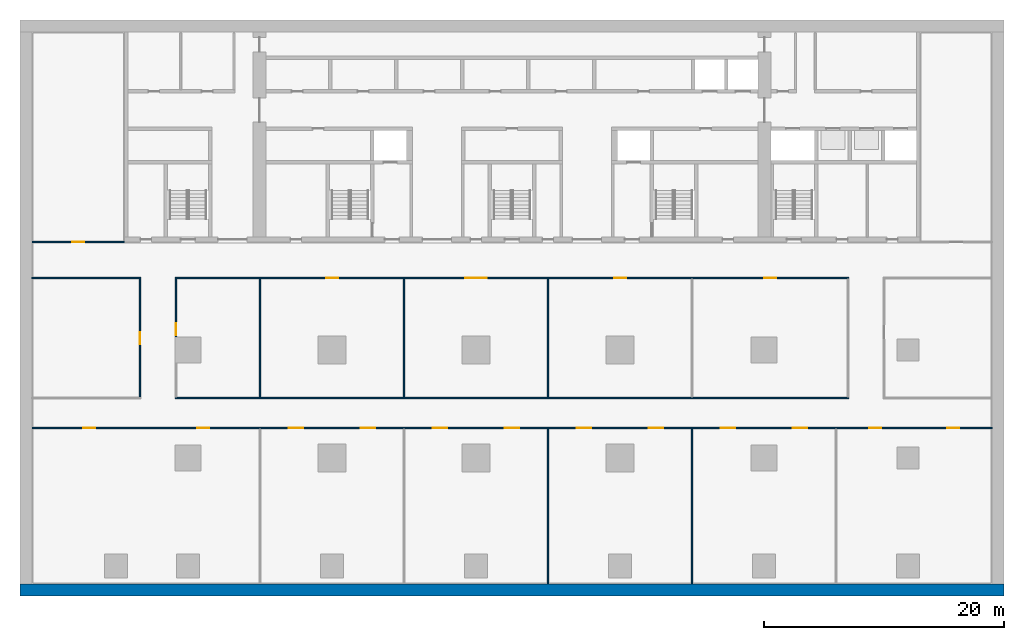
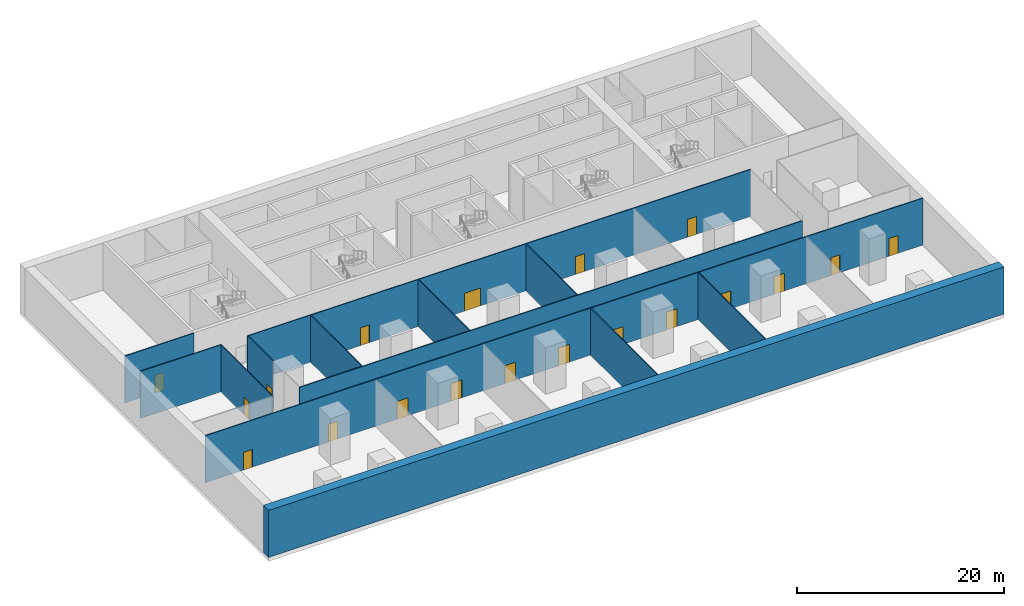
# One storey, part 2 of 10: 19 doors, 13 walls, 19 openings.
"""IFC4 building model written with IfcOpenShell, lengths in metres."""

from ifc_helpers import new_model, si_unit, direction, frame, frame_2d, origin, place, context, subcontext, project, spatial, rectangle, extrude, material, layer, layer_set, type_object, element, fill, save


model = new_model("IFC4")

# Units and contexts
model_context = context("Model", 3, precision=1e-05, world=origin(), true_north=direction((0.0, 1.0)))
body_context = subcontext(model_context, "Body", "Model", "MODEL_VIEW")
ifc_project = project(units=[si_unit("LENGTHUNIT", "METRE"), si_unit("AREAUNIT", "SQUARE_METRE"), si_unit("VOLUMEUNIT", "CUBIC_METRE"), si_unit("PLANEANGLEUNIT", "RADIAN"), si_unit("MASSUNIT", "GRAM", prefix="KILO")], contexts=[model_context])

# Site, building, storey
site_placement = place(None, origin())
site = spatial("IfcSite", under=ifc_project, at=site_placement, CompositionType="ELEMENT")
building_placement = place(site_placement, origin())
building = spatial("IfcBuilding", under=site, at=building_placement, Name="Calvaro Tower", CompositionType="ELEMENT")
storey_placement = place(building_placement, frame((0.0, 0.0, -6.0)))
storey = spatial("IfcBuildingStorey", under=building, at=storey_placement, Name="B1", CompositionType="ELEMENT", Elevation=-6.0)

# Walls
ifc_material_1 = material(Name="Plasterboard on steel studs", Category="steel")
ifc_layer_1 = layer(ifc_material_1, 0.10009765625)
ifc_layer_set_1 = layer_set([ifc_layer_1], Name="Plasterboard on steel studs")
wall_type_1 = type_object("IfcWallType", Name="Partition 100", PredefinedType="PARTITIONING", material=ifc_layer_set_1)
wall_1_placement = place(storey_placement, frame((10.949951171875, 15.0, 0.0), z_axis=(0.0, 0.0, 1.0), x_axis=(1.0, 0.0, 0.0)))
element("IfcWall", 1, at=wall_1_placement, inside=storey, type_object=wall_type_1, Name="Partition T02.W003", PredefinedType="PARTITIONING", context=body_context, shape_type="SweptSolid", body=[
    extrude(rectangle(XDim=56.10009765625, YDim=0.10009765625, at=frame_2d((28.050048828125, 0.0))), origin(), (0.0, 0.0, 1.0), 5.550048828125),
])
for number, where, z_axis, x_axis, name in (
    (2, (42.0, -0.5, 0.0), (0.0, 0.0, 1.0), (0.0, 1.0, 0.0), "Partition T02.W017"),
    (3, (54.0, -0.5, 0.0), (0.0, 0.0, 1.0), (0.0, 1.0, 0.0), "Partition T02.W019"),
):
    element("IfcWall", number, at=place(storey_placement, frame(where, z_axis=z_axis, x_axis=x_axis)), inside=storey, type_object=wall_type_1, Name=name, PredefinedType="PARTITIONING", context=body_context, shape_type="SweptSolid", body=[
        extrude(rectangle(XDim=12.949951171875, YDim=0.10009765625, at=frame_2d((6.47509765625, 0.0))), origin(), (0.0, 0.0, 1.0), 5.550048828125),
    ])

# Wall, openings, doors
ifc_material_2 = material(Name="Plasterboard on steel studs", Category="steel")
ifc_layer_2 = layer(ifc_material_2, 0.10009765625)
ifc_layer_set_2 = layer_set([ifc_layer_2], Name="Plasterboard on steel studs")
wall_type_2 = type_object("IfcWallType", Name="Partition 100 EI 60", PredefinedType="PARTITIONING", material=ifc_layer_set_2)
wall_2_placement = place(storey_placement, frame((-1.0, 12.5, 0.0), z_axis=(0.0, 0.0, 1.0), x_axis=(1.0, 0.0, 0.0)))
wall_2 = element("IfcWall", 4, at=wall_2_placement, inside=storey, type_object=wall_type_2, Name="Partition T02.W001", PredefinedType="PARTITIONING", context=body_context, shape_type="SweptSolid", body=[
    extrude(rectangle(XDim=80.0, YDim=0.10009765625, at=frame_2d((40.0, 0.0))), origin(), (0.0, 0.0, 1.0), 5.550048828125),
])
opening_1_placement = place(wall_2_placement, frame((4.25, 0.0, 0.0)))
opening_1 = element("IfcOpeningElement", 5, at=opening_1_placement, cuts=wall_2, Name="Opening T02.001", PredefinedType="OPENING", context=body_context, shape_type="SweptSolid", body=[
    extrude(rectangle(XDim=1.0, YDim=2.10009765625, at=frame_2d((0.5, 1.050048828125))), frame((0.0, 0.06005859375, 0.0), z_axis=(0.0, -1.0, 0.0), x_axis=(1.0, 0.0, 0.0)), (0.0, 0.0, 1.0), 0.1201171875),
])
opening_2_placement = place(wall_2_placement, frame((13.75, 0.0, 0.0)))
opening_2 = element("IfcOpeningElement", 6, at=opening_2_placement, cuts=wall_2, Name="Opening T02.002", PredefinedType="OPENING", context=body_context, shape_type="SweptSolid", body=[
    extrude(rectangle(XDim=1.0, YDim=2.10009765625, at=frame_2d((0.5, 1.050048828125))), frame((0.0, 0.06005859375, 0.0), z_axis=(0.0, -1.0, 0.0), x_axis=(1.0, 0.0, 0.0)), (0.0, 0.0, 1.0), 0.1201171875),
])
opening_3_placement = place(wall_2_placement, frame((21.39990234375, 0.0, 0.0)))
opening_3 = element("IfcOpeningElement", 7, at=opening_3_placement, cuts=wall_2, Name="Opening T02.003", PredefinedType="OPENING", context=body_context, shape_type="SweptSolid", body=[
    extrude(rectangle(XDim=1.199951171875, YDim=2.10009765625, at=frame_2d((0.60009765625, 1.050048828125))), frame((0.0, 0.06005859375, 0.0), z_axis=(0.0, -1.0, 0.0), x_axis=(1.0, 0.0, 0.0)), (0.0, 0.0, 1.0), 0.1201171875),
])
opening_4_placement = place(wall_2_placement, frame((27.39990234375, 0.0, 0.0)))
opening_4 = element("IfcOpeningElement", 8, at=opening_4_placement, cuts=wall_2, Name="Opening T02.004", PredefinedType="OPENING", context=body_context, shape_type="SweptSolid", body=[
    extrude(rectangle(XDim=1.199951171875, YDim=2.10009765625, at=frame_2d((0.60009765625, 1.050048828125))), frame((0.0, 0.06005859375, 0.0), z_axis=(0.0, -1.0, 0.0), x_axis=(1.0, 0.0, 0.0)), (0.0, 0.0, 1.0), 0.1201171875),
])
opening_5_placement = place(wall_2_placement, frame((33.39990234375, 0.0, 0.0)))
opening_5 = element("IfcOpeningElement", 9, at=opening_5_placement, cuts=wall_2, Name="Opening T02.005", PredefinedType="OPENING", context=body_context, shape_type="SweptSolid", body=[
    extrude(rectangle(XDim=1.199951171875, YDim=2.10009765625, at=frame_2d((0.60009765625, 1.050048828125))), frame((0.0, 0.06005859375, 0.0), z_axis=(0.0, -1.0, 0.0), x_axis=(1.0, 0.0, 0.0)), (0.0, 0.0, 1.0), 0.1201171875),
])
opening_6_placement = place(wall_2_placement, frame((39.39990234375, 0.0, 0.0)))
opening_6 = element("IfcOpeningElement", 10, at=opening_6_placement, cuts=wall_2, Name="Opening T02.006", PredefinedType="OPENING", context=body_context, shape_type="SweptSolid", body=[
    extrude(rectangle(XDim=1.199951171875, YDim=2.10009765625, at=frame_2d((0.60009765625, 1.050048828125))), frame((0.0, 0.06005859375, 0.0), z_axis=(0.0, -1.0, 0.0), x_axis=(1.0, 0.0, 0.0)), (0.0, 0.0, 1.0), 0.1201171875),
])
opening_7_placement = place(wall_2_placement, frame((45.39990234375, 0.0, 0.0)))
opening_7 = element("IfcOpeningElement", 11, at=opening_7_placement, cuts=wall_2, Name="Opening T02.007", PredefinedType="OPENING", context=body_context, shape_type="SweptSolid", body=[
    extrude(rectangle(XDim=1.199951171875, YDim=2.10009765625, at=frame_2d((0.60009765625, 1.050048828125))), frame((0.0, 0.06005859375, 0.0), z_axis=(0.0, -1.0, 0.0), x_axis=(1.0, 0.0, 0.0)), (0.0, 0.0, 1.0), 0.1201171875),
])
opening_8_placement = place(wall_2_placement, frame((51.39990234375, 0.0, 0.0)))
opening_8 = element("IfcOpeningElement", 12, at=opening_8_placement, cuts=wall_2, Name="Opening T02.008", PredefinedType="OPENING", context=body_context, shape_type="SweptSolid", body=[
    extrude(rectangle(XDim=1.199951171875, YDim=2.10009765625, at=frame_2d((0.60009765625, 1.050048828125))), frame((0.0, 0.06005859375, 0.0), z_axis=(0.0, -1.0, 0.0), x_axis=(1.0, 0.0, 0.0)), (0.0, 0.0, 1.0), 0.1201171875),
])
opening_9_placement = place(wall_2_placement, frame((57.39990234375, 0.0, 0.0)))
opening_9 = element("IfcOpeningElement", 13, at=opening_9_placement, cuts=wall_2, Name="Opening T02.009", PredefinedType="OPENING", context=body_context, shape_type="SweptSolid", body=[
    extrude(rectangle(XDim=1.199951171875, YDim=2.10009765625, at=frame_2d((0.60009765625, 1.050048828125))), frame((0.0, 0.06005859375, 0.0), z_axis=(0.0, -1.0, 0.0), x_axis=(1.0, 0.0, 0.0)), (0.0, 0.0, 1.0), 0.1201171875),
])
opening_10_placement = place(wall_2_placement, frame((63.39990234375, 0.0, 0.0)))
opening_10 = element("IfcOpeningElement", 14, at=opening_10_placement, cuts=wall_2, Name="Opening T02.010", PredefinedType="OPENING", context=body_context, shape_type="SweptSolid", body=[
    extrude(rectangle(XDim=1.199951171875, YDim=2.10009765625, at=frame_2d((0.60009765625, 1.050048828125))), frame((0.0, 0.06005859375, 0.0), z_axis=(0.0, -1.0, 0.0), x_axis=(1.0, 0.0, 0.0)), (0.0, 0.0, 1.0), 0.1201171875),
])
opening_11_placement = place(wall_2_placement, frame((69.75, 0.0, 0.0)))
opening_11 = element("IfcOpeningElement", 15, at=opening_11_placement, cuts=wall_2, Name="Opening T02.011", PredefinedType="OPENING", context=body_context, shape_type="SweptSolid", body=[
    extrude(rectangle(XDim=1.0, YDim=2.10009765625, at=frame_2d((0.5, 1.050048828125))), frame((0.0, 0.06005859375, 0.0), z_axis=(0.0, -1.0, 0.0), x_axis=(1.0, 0.0, 0.0)), (0.0, 0.0, 1.0), 0.1201171875),
])
opening_12_placement = place(wall_2_placement, frame((76.25, 0.0, 0.0)))
opening_12 = element("IfcOpeningElement", 16, at=opening_12_placement, cuts=wall_2, Name="Opening T02.012", PredefinedType="OPENING", context=body_context, shape_type="SweptSolid", body=[
    extrude(rectangle(XDim=1.0, YDim=2.10009765625, at=frame_2d((0.5, 1.050048828125))), frame((0.0, 0.06005859375, 0.0), z_axis=(0.0, -1.0, 0.0), x_axis=(1.0, 0.0, 0.0)), (0.0, 0.0, 1.0), 0.1201171875),
])
ifc_material_3 = material(Name="Timber", Category="wood")
door_type_1 = type_object("IfcDoorType", Name="Internal single door 1000 x 2100 FD30", OperationType="SINGLE_SWING_LEFT", PredefinedType="DOOR", material=ifc_material_3)
door_1_placement = place(opening_1_placement, origin())
door_1 = element("IfcDoor", 17, at=door_1_placement, inside=storey, type_object=door_type_1, Name="Door T02.001", OperationType="SINGLE_SWING_LEFT", OverallHeight=2.10009765625, OverallWidth=1.0, PredefinedType="DOOR", context=body_context, shape_type="SweptSolid", body=[
    extrude(rectangle(XDim=1.0, YDim=2.10009765625, at=frame_2d((0.5, 1.050048828125))), frame((0.0, 0.02490234375, 0.0), z_axis=(0.0, -1.0, 0.0), x_axis=(1.0, 0.0, 0.0)), (0.0, 0.0, 1.0), 0.050048828125),
])
fill(opening_1, door_1)
door_2_placement = place(opening_2_placement, origin())
door_2 = element("IfcDoor", 18, at=door_2_placement, inside=storey, type_object=door_type_1, Name="Door T02.002", OperationType="SINGLE_SWING_LEFT", OverallHeight=2.10009765625, OverallWidth=1.0, PredefinedType="DOOR", context=body_context, shape_type="SweptSolid", body=[
    extrude(rectangle(XDim=1.0, YDim=2.10009765625, at=frame_2d((0.5, 1.050048828125))), frame((0.0, 0.02490234375, 0.0), z_axis=(0.0, -1.0, 0.0), x_axis=(1.0, 0.0, 0.0)), (0.0, 0.0, 1.0), 0.050048828125),
])
fill(opening_2, door_2)
door_3_placement = place(opening_11_placement, origin())
door_3 = element("IfcDoor", 19, at=door_3_placement, inside=storey, type_object=door_type_1, Name="Door T02.011", OperationType="SINGLE_SWING_RIGHT", OverallHeight=2.10009765625, OverallWidth=1.0, PredefinedType="DOOR", context=body_context, shape_type="SweptSolid", body=[
    extrude(rectangle(XDim=1.0, YDim=2.10009765625, at=frame_2d((0.5, 1.050048828125))), frame((0.0, 0.02490234375, 0.0), z_axis=(0.0, -1.0, 0.0), x_axis=(1.0, 0.0, 0.0)), (0.0, 0.0, 1.0), 0.050048828125),
])
fill(opening_11, door_3)
door_4_placement = place(opening_12_placement, origin())
door_4 = element("IfcDoor", 20, at=door_4_placement, inside=storey, type_object=door_type_1, Name="Door T02.012", OperationType="SINGLE_SWING_RIGHT", OverallHeight=2.10009765625, OverallWidth=1.0, PredefinedType="DOOR", context=body_context, shape_type="SweptSolid", body=[
    extrude(rectangle(XDim=1.0, YDim=2.10009765625, at=frame_2d((0.5, 1.050048828125))), frame((0.0, 0.02490234375, 0.0), z_axis=(0.0, -1.0, 0.0), x_axis=(1.0, 0.0, 0.0)), (0.0, 0.0, 1.0), 0.050048828125),
])
fill(opening_12, door_4)
ifc_material_4 = material(Name="Timber", Category="wood")
door_type_2 = type_object("IfcDoorType", Name="Internal single door 1200 x 2100", OperationType="SINGLE_SWING_LEFT", PredefinedType="DOOR", material=ifc_material_4)
door_5_placement = place(opening_3_placement, origin())
door_5 = element("IfcDoor", 21, at=door_5_placement, inside=storey, type_object=door_type_2, Name="Door T02.003", OperationType="SINGLE_SWING_LEFT", OverallHeight=2.10009765625, OverallWidth=1.199951171875, PredefinedType="DOOR", context=body_context, shape_type="SweptSolid", body=[
    extrude(rectangle(XDim=1.199951171875, YDim=2.10009765625, at=frame_2d((0.60009765625, 1.050048828125))), frame((0.0, 0.02490234375, 0.0), z_axis=(0.0, -1.0, 0.0), x_axis=(1.0, 0.0, 0.0)), (0.0, 0.0, 1.0), 0.050048828125),
])
fill(opening_3, door_5)
door_6_placement = place(opening_4_placement, origin())
door_6 = element("IfcDoor", 22, at=door_6_placement, inside=storey, type_object=door_type_2, Name="Door T02.004", OperationType="SINGLE_SWING_LEFT", OverallHeight=2.10009765625, OverallWidth=1.199951171875, PredefinedType="DOOR", context=body_context, shape_type="SweptSolid", body=[
    extrude(rectangle(XDim=1.199951171875, YDim=2.10009765625, at=frame_2d((0.60009765625, 1.050048828125))), frame((0.0, 0.02490234375, 0.0), z_axis=(0.0, -1.0, 0.0), x_axis=(1.0, 0.0, 0.0)), (0.0, 0.0, 1.0), 0.050048828125),
])
fill(opening_4, door_6)
door_7_placement = place(opening_5_placement, origin())
door_7 = element("IfcDoor", 23, at=door_7_placement, inside=storey, type_object=door_type_2, Name="Door T02.005", OperationType="SINGLE_SWING_LEFT", OverallHeight=2.10009765625, OverallWidth=1.199951171875, PredefinedType="DOOR", context=body_context, shape_type="SweptSolid", body=[
    extrude(rectangle(XDim=1.199951171875, YDim=2.10009765625, at=frame_2d((0.60009765625, 1.050048828125))), frame((0.0, 0.02490234375, 0.0), z_axis=(0.0, -1.0, 0.0), x_axis=(1.0, 0.0, 0.0)), (0.0, 0.0, 1.0), 0.050048828125),
])
fill(opening_5, door_7)
door_8_placement = place(opening_6_placement, origin())
door_8 = element("IfcDoor", 24, at=door_8_placement, inside=storey, type_object=door_type_2, Name="Door T02.006", OperationType="SINGLE_SWING_LEFT", OverallHeight=2.10009765625, OverallWidth=1.199951171875, PredefinedType="DOOR", context=body_context, shape_type="SweptSolid", body=[
    extrude(rectangle(XDim=1.199951171875, YDim=2.10009765625, at=frame_2d((0.60009765625, 1.050048828125))), frame((0.0, 0.02490234375, 0.0), z_axis=(0.0, -1.0, 0.0), x_axis=(1.0, 0.0, 0.0)), (0.0, 0.0, 1.0), 0.050048828125),
])
fill(opening_6, door_8)
door_9_placement = place(opening_7_placement, origin())
door_9 = element("IfcDoor", 25, at=door_9_placement, inside=storey, type_object=door_type_2, Name="Door T02.007", OperationType="SINGLE_SWING_RIGHT", OverallHeight=2.10009765625, OverallWidth=1.199951171875, PredefinedType="DOOR", context=body_context, shape_type="SweptSolid", body=[
    extrude(rectangle(XDim=1.199951171875, YDim=2.10009765625, at=frame_2d((0.60009765625, 1.050048828125))), frame((0.0, 0.02490234375, 0.0), z_axis=(0.0, -1.0, 0.0), x_axis=(1.0, 0.0, 0.0)), (0.0, 0.0, 1.0), 0.050048828125),
])
fill(opening_7, door_9)
door_10_placement = place(opening_8_placement, origin())
door_10 = element("IfcDoor", 26, at=door_10_placement, inside=storey, type_object=door_type_2, Name="Door T02.008", OperationType="SINGLE_SWING_RIGHT", OverallHeight=2.10009765625, OverallWidth=1.199951171875, PredefinedType="DOOR", context=body_context, shape_type="SweptSolid", body=[
    extrude(rectangle(XDim=1.199951171875, YDim=2.10009765625, at=frame_2d((0.60009765625, 1.050048828125))), frame((0.0, 0.02490234375, 0.0), z_axis=(0.0, -1.0, 0.0), x_axis=(1.0, 0.0, 0.0)), (0.0, 0.0, 1.0), 0.050048828125),
])
fill(opening_8, door_10)
door_11_placement = place(opening_9_placement, origin())
door_11 = element("IfcDoor", 27, at=door_11_placement, inside=storey, type_object=door_type_2, Name="Door T02.009", OperationType="SINGLE_SWING_RIGHT", OverallHeight=2.10009765625, OverallWidth=1.199951171875, PredefinedType="DOOR", context=body_context, shape_type="SweptSolid", body=[
    extrude(rectangle(XDim=1.199951171875, YDim=2.10009765625, at=frame_2d((0.60009765625, 1.050048828125))), frame((0.0, 0.02490234375, 0.0), z_axis=(0.0, -1.0, 0.0), x_axis=(1.0, 0.0, 0.0)), (0.0, 0.0, 1.0), 0.050048828125),
])
fill(opening_9, door_11)
door_12_placement = place(opening_10_placement, origin())
door_12 = element("IfcDoor", 28, at=door_12_placement, inside=storey, type_object=door_type_2, Name="Door T02.010", OperationType="SINGLE_SWING_RIGHT", OverallHeight=2.10009765625, OverallWidth=1.199951171875, PredefinedType="DOOR", context=body_context, shape_type="SweptSolid", body=[
    extrude(rectangle(XDim=1.199951171875, YDim=2.10009765625, at=frame_2d((0.60009765625, 1.050048828125))), frame((0.0, 0.02490234375, 0.0), z_axis=(0.0, -1.0, 0.0), x_axis=(1.0, 0.0, 0.0)), (0.0, 0.0, 1.0), 0.050048828125),
])
fill(opening_10, door_12)

# Wall
wall_3_placement = place(storey_placement, frame((-1.0, 25.0, 0.0), z_axis=(0.0, 0.0, 1.0), x_axis=(1.0, 0.0, 0.0)))
element("IfcWall", 29, at=wall_3_placement, inside=storey, type_object=wall_type_2, Name="Partition T02.W005", PredefinedType="PARTITIONING", context=body_context, shape_type="SweptSolid", body=[
    extrude(rectangle(XDim=9.050048828125, YDim=0.10009765625, at=frame_2d((4.52490234375, 0.0))), origin(), (0.0, 0.0, 1.0), 5.550048828125),
])

# Wall, opening, door
wall_4_placement = place(storey_placement, frame((-1.0, 28.0, 0.0), z_axis=(0.0, 0.0, 1.0), x_axis=(1.0, 0.0, 0.0)))
wall_4 = element("IfcWall", 30, at=wall_4_placement, inside=storey, type_object=wall_type_2, Name="Partition T02.W008", PredefinedType="PARTITIONING", context=body_context, shape_type="SweptSolid", body=[
    extrude(rectangle(XDim=7.699951171875, YDim=0.10009765625, at=frame_2d((3.85009765625, 0.0))), origin(), (0.0, 0.0, 1.0), 5.550048828125),
])
opening_13_placement = place(wall_4_placement, frame((3.35009765625, 0.0, 0.0)))
opening_13 = element("IfcOpeningElement", 31, at=opening_13_placement, cuts=wall_4, Name="Opening T02.020", PredefinedType="OPENING", context=body_context, shape_type="SweptSolid", body=[
    extrude(rectangle(XDim=1.0, YDim=2.10009765625, at=frame_2d((0.5, 1.050048828125))), frame((0.0, 0.06005859375, 0.0), z_axis=(0.0, -1.0, 0.0), x_axis=(1.0, 0.0, 0.0)), (0.0, 0.0, 1.0), 0.1201171875),
])
door_13_placement = place(opening_13_placement, origin())
door_13 = element("IfcDoor", 32, at=door_13_placement, inside=storey, type_object=door_type_1, Name="Door T02.020", OperationType="SINGLE_SWING_RIGHT", OverallHeight=2.10009765625, OverallWidth=1.0, PredefinedType="DOOR", context=body_context, shape_type="SweptSolid", body=[
    extrude(rectangle(XDim=1.0, YDim=2.10009765625, at=frame_2d((0.5, 1.050048828125))), frame((0.0, 0.02490234375, 0.0), z_axis=(0.0, -1.0, 0.0), x_axis=(1.0, 0.0, 0.0)), (0.0, 0.0, 1.0), 0.050048828125),
])
fill(opening_13, door_13)

wall_5_placement = place(storey_placement, frame((8.0, 15.050048828125, 0.0), z_axis=(0.0, 0.0, 1.0), x_axis=(0.0, 1.0, 0.0)))
wall_5 = element("IfcWall", 33, at=wall_5_placement, inside=storey, type_object=wall_type_2, Name="Partition T02.W010", PredefinedType="PARTITIONING", context=body_context, shape_type="SweptSolid", body=[
    extrude(rectangle(XDim=9.89990234375, YDim=0.10009765625, at=frame_2d((4.949951171875, 0.0))), origin(), (0.0, 0.0, 1.0), 5.550048828125),
])
opening_14_placement = place(wall_5_placement, frame((4.449951171875, 0.0, 0.0)))
opening_14 = element("IfcOpeningElement", 34, at=opening_14_placement, cuts=wall_5, Name="Opening T02.013", PredefinedType="OPENING", context=body_context, shape_type="SweptSolid", body=[
    extrude(rectangle(XDim=1.0, YDim=2.10009765625, at=frame_2d((0.5, 1.050048828125))), frame((0.0, 0.06005859375, 0.0), z_axis=(0.0, -1.0, 0.0), x_axis=(1.0, 0.0, 0.0)), (0.0, 0.0, 1.0), 0.1201171875),
])
door_14_placement = place(opening_14_placement, origin())
door_14 = element("IfcDoor", 35, at=door_14_placement, inside=storey, type_object=door_type_1, Name="Door T02.013", OperationType="SINGLE_SWING_RIGHT", OverallHeight=2.10009765625, OverallWidth=1.0, PredefinedType="DOOR", context=body_context, shape_type="SweptSolid", body=[
    extrude(rectangle(XDim=1.0, YDim=2.10009765625, at=frame_2d((0.5, 1.050048828125))), frame((0.0, 0.02490234375, 0.0), z_axis=(0.0, -1.0, 0.0), x_axis=(1.0, 0.0, 0.0)), (0.0, 0.0, 1.0), 0.050048828125),
])
fill(opening_14, door_14)

wall_6_placement = place(storey_placement, frame((11.0, 20.10009765625, 0.0), z_axis=(0.0, 0.0, 1.0), x_axis=(0.0, 1.0, 0.0)))
wall_6 = element("IfcWall", 36, at=wall_6_placement, inside=storey, type_object=wall_type_2, Name="Partition T02.W012", PredefinedType="PARTITIONING", context=body_context, shape_type="SweptSolid", body=[
    extrude(rectangle(XDim=4.849853515625, YDim=0.10009765625, at=frame_2d((2.4248046875, 0.0))), origin(), (0.0, 0.0, 1.0), 5.550048828125),
])
opening_15_placement = place(wall_6_placement, frame((0.14990234375, 0.0, 0.0)))
opening_15 = element("IfcOpeningElement", 37, at=opening_15_placement, cuts=wall_6, Name="Opening T02.014", PredefinedType="OPENING", context=body_context, shape_type="SweptSolid", body=[
    extrude(rectangle(XDim=1.0, YDim=2.10009765625, at=frame_2d((0.5, 1.050048828125))), frame((0.0, 0.06005859375, 0.0), z_axis=(0.0, -1.0, 0.0), x_axis=(1.0, 0.0, 0.0)), (0.0, 0.0, 1.0), 0.1201171875),
])
door_15_placement = place(opening_15_placement, origin())
door_15 = element("IfcDoor", 38, at=door_15_placement, inside=storey, type_object=door_type_1, Name="Door T02.014", OperationType="SINGLE_SWING_LEFT", OverallHeight=2.10009765625, OverallWidth=1.0, PredefinedType="DOOR", context=body_context, shape_type="SweptSolid", body=[
    extrude(rectangle(XDim=1.0, YDim=2.10009765625, at=frame_2d((0.5, 1.050048828125))), frame((0.0, 0.02490234375, 0.0), z_axis=(0.0, -1.0, 0.0), x_axis=(1.0, 0.0, 0.0)), (0.0, 0.0, 1.0), 0.050048828125),
])
fill(opening_15, door_15)

# Walls
for number, where, z_axis, x_axis, name in (
    (39, (18.0, 15.050048828125, 0.0), (0.0, 0.0, 1.0), (0.0, 1.0, 0.0), "Partition T02.W014"),
    (40, (30.0, 15.050048828125, 0.0), (0.0, 0.0, 1.0), (0.0, 1.0, 0.0), "Partition T02.W016"),
):
    element("IfcWall", number, at=place(storey_placement, frame(where, z_axis=z_axis, x_axis=x_axis)), inside=storey, type_object=wall_type_2, Name=name, PredefinedType="PARTITIONING", context=body_context, shape_type="SweptSolid", body=[
        extrude(rectangle(XDim=9.89990234375, YDim=0.10009765625, at=frame_2d((4.949951171875, 0.0))), origin(), (0.0, 0.0, 1.0), 5.550048828125),
    ])

# Wall, openings, doors
ifc_material_5 = material(Name="Plasterboard on steel studs", Category="steel")
ifc_layer_3 = layer(ifc_material_5, 0.10009765625)
ifc_layer_set_3 = layer_set([ifc_layer_3], Name="Plasterboard on steel studs")
wall_type_3 = type_object("IfcWallType", Name="Partition 100 REI 120", PredefinedType="PARTITIONING", material=ifc_layer_set_3)
wall_7_placement = place(storey_placement, frame((10.949951171875, 25.0, 0.0), z_axis=(0.0, 0.0, 1.0), x_axis=(1.0, 0.0, 0.0)))
wall_7 = element("IfcWall", 41, at=wall_7_placement, inside=storey, type_object=wall_type_3, Name="Partition T02.W006", PredefinedType="PARTITIONING", context=body_context, shape_type="SweptSolid", body=[
    extrude(rectangle(XDim=56.10009765625, YDim=0.10009765625, at=frame_2d((28.050048828125, 0.0))), origin(), (0.0, 0.0, 1.0), 5.550048828125),
])
opening_16_placement = place(wall_7_placement, frame((12.550048828125, 0.0, 0.0)))
opening_16 = element("IfcOpeningElement", 42, at=opening_16_placement, cuts=wall_7, Name="Opening T02.015", PredefinedType="OPENING", context=body_context, shape_type="SweptSolid", body=[
    extrude(rectangle(XDim=1.0, YDim=2.10009765625, at=frame_2d((0.5, 1.050048828125))), frame((0.0, 0.06005859375, 0.0), z_axis=(0.0, -1.0, 0.0), x_axis=(1.0, 0.0, 0.0)), (0.0, 0.0, 1.0), 0.1201171875),
])
opening_17_placement = place(wall_7_placement, frame((24.14990234375, 0.0, 0.0)))
opening_17 = element("IfcOpeningElement", 43, at=opening_17_placement, cuts=wall_7, Name="Opening T02.016", PredefinedType="OPENING", context=body_context, shape_type="SweptSolid", body=[
    extrude(rectangle(XDim=1.800048828125, YDim=2.10009765625, at=frame_2d((0.89990234375, 1.050048828125))), frame((0.0, 0.06005859375, 0.0), z_axis=(0.0, -1.0, 0.0), x_axis=(1.0, 0.0, 0.0)), (0.0, 0.0, 1.0), 0.1201171875),
])
opening_18_placement = place(wall_7_placement, frame((36.550048828125, 0.0, 0.0)))
opening_18 = element("IfcOpeningElement", 44, at=opening_18_placement, cuts=wall_7, Name="Opening T02.017", PredefinedType="OPENING", context=body_context, shape_type="SweptSolid", body=[
    extrude(rectangle(XDim=1.0, YDim=2.10009765625, at=frame_2d((0.5, 1.050048828125))), frame((0.0, 0.06005859375, 0.0), z_axis=(0.0, -1.0, 0.0), x_axis=(1.0, 0.0, 0.0)), (0.0, 0.0, 1.0), 0.1201171875),
])
opening_19_placement = place(wall_7_placement, frame((49.050048828125, 0.0, 0.0)))
opening_19 = element("IfcOpeningElement", 45, at=opening_19_placement, cuts=wall_7, Name="Opening T02.018", PredefinedType="OPENING", context=body_context, shape_type="SweptSolid", body=[
    extrude(rectangle(XDim=1.0, YDim=2.10009765625, at=frame_2d((0.5, 1.050048828125))), frame((0.0, 0.06005859375, 0.0), z_axis=(0.0, -1.0, 0.0), x_axis=(1.0, 0.0, 0.0)), (0.0, 0.0, 1.0), 0.1201171875),
])
ifc_material_6 = material(Name="Timber", Category="wood")
door_type_3 = type_object("IfcDoorType", Name="Internal double door 1800 x 2100", OperationType="DOUBLE_DOOR_SINGLE_SWING", PredefinedType="DOOR", material=ifc_material_6)
door_16_placement = place(opening_17_placement, origin())
door_16 = element("IfcDoor", 46, at=door_16_placement, inside=storey, type_object=door_type_3, Name="Door T02.016", OperationType="DOUBLE_DOOR_SINGLE_SWING", OverallHeight=2.10009765625, OverallWidth=1.800048828125, PredefinedType="DOOR", context=body_context, shape_type="SweptSolid", body=[
    extrude(rectangle(XDim=1.800048828125, YDim=2.10009765625, at=frame_2d((0.89990234375, 1.050048828125))), frame((0.0, 0.02490234375, 0.0), z_axis=(0.0, -1.0, 0.0), x_axis=(1.0, 0.0, 0.0)), (0.0, 0.0, 1.0), 0.050048828125),
])
fill(opening_17, door_16)
door_17_placement = place(opening_16_placement, origin())
door_17 = element("IfcDoor", 47, at=door_17_placement, inside=storey, type_object=door_type_1, Name="Door T02.015", OperationType="SINGLE_SWING_LEFT", OverallHeight=2.10009765625, OverallWidth=1.0, PredefinedType="DOOR", context=body_context, shape_type="SweptSolid", body=[
    extrude(rectangle(XDim=1.0, YDim=2.10009765625, at=frame_2d((0.5, 1.050048828125))), frame((0.0, 0.02490234375, 0.0), z_axis=(0.0, -1.0, 0.0), x_axis=(1.0, 0.0, 0.0)), (0.0, 0.0, 1.0), 0.050048828125),
])
fill(opening_16, door_17)
ifc_material_7 = material(Name="Timber", Category="wood")
door_type_4 = type_object("IfcDoorType", Name="Internal single door 1000 x 2100 FD60", OperationType="SINGLE_SWING_LEFT", PredefinedType="DOOR", material=ifc_material_7)
door_18_placement = place(opening_18_placement, origin())
door_18 = element("IfcDoor", 48, at=door_18_placement, inside=storey, type_object=door_type_4, Name="Door T02.017", OperationType="SINGLE_SWING_RIGHT", OverallHeight=2.10009765625, OverallWidth=1.0, PredefinedType="DOOR", context=body_context, shape_type="SweptSolid", body=[
    extrude(rectangle(XDim=1.0, YDim=2.10009765625, at=frame_2d((0.5, 1.050048828125))), frame((0.0, 0.02490234375, 0.0), z_axis=(0.0, -1.0, 0.0), x_axis=(1.0, 0.0, 0.0)), (0.0, 0.0, 1.0), 0.050048828125),
])
fill(opening_18, door_18)
door_19_placement = place(opening_19_placement, origin())
door_19 = element("IfcDoor", 49, at=door_19_placement, inside=storey, type_object=door_type_4, Name="Door T02.018", OperationType="SINGLE_SWING_RIGHT", OverallHeight=2.10009765625, OverallWidth=1.0, PredefinedType="DOOR", context=body_context, shape_type="SweptSolid", body=[
    extrude(rectangle(XDim=1.0, YDim=2.10009765625, at=frame_2d((0.5, 1.050048828125))), frame((0.0, 0.02490234375, 0.0), z_axis=(0.0, -1.0, 0.0), x_axis=(1.0, 0.0, 0.0)), (0.0, 0.0, 1.0), 0.050048828125),
])
fill(opening_19, door_19)

# Walls
wall_8_placement = place(storey_placement, frame((42.0, 15.050048828125, 0.0), z_axis=(0.0, 0.0, 1.0), x_axis=(0.0, 1.0, 0.0)))
element("IfcWall", 50, at=wall_8_placement, inside=storey, type_object=wall_type_3, Name="Partition T02.W018", PredefinedType="PARTITIONING", context=body_context, shape_type="SweptSolid", body=[
    extrude(rectangle(XDim=9.89990234375, YDim=0.10009765625, at=frame_2d((4.949951171875, 0.0))), origin(), (0.0, 0.0, 1.0), 5.550048828125),
])
ifc_material_8 = material(Name="Concrete C32/40", Category="concrete")
ifc_layer_4 = layer(ifc_material_8, 1.0)
ifc_layer_set_4 = layer_set([ifc_layer_4], Name="Concrete C32/40")
wall_type_4 = type_object("IfcWallType", Name="Retaining wall 1000 C32/40", PredefinedType="SOLIDWALL", material=ifc_layer_set_4)
wall_9_placement = place(storey_placement, frame((-2.0, -1.0, 0.0), z_axis=(0.0, 0.0, 1.0), x_axis=(1.0, 0.0, 0.0)))
element("IfcWall", 51, at=wall_9_placement, inside=storey, type_object=wall_type_4, Name="Basement wall", PredefinedType="SOLIDWALL", context=body_context, shape_type="SweptSolid", body=[
    extrude(rectangle(XDim=82.0, YDim=1.0, at=frame_2d((41.0, 0.0))), origin(), (0.0, 0.0, 1.0), 5.550048828125),
])

save(model, "model.ifc")
